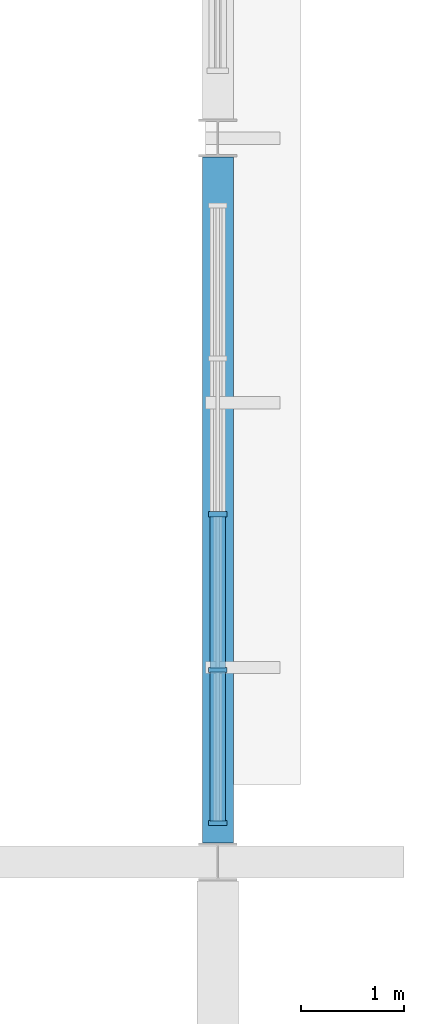
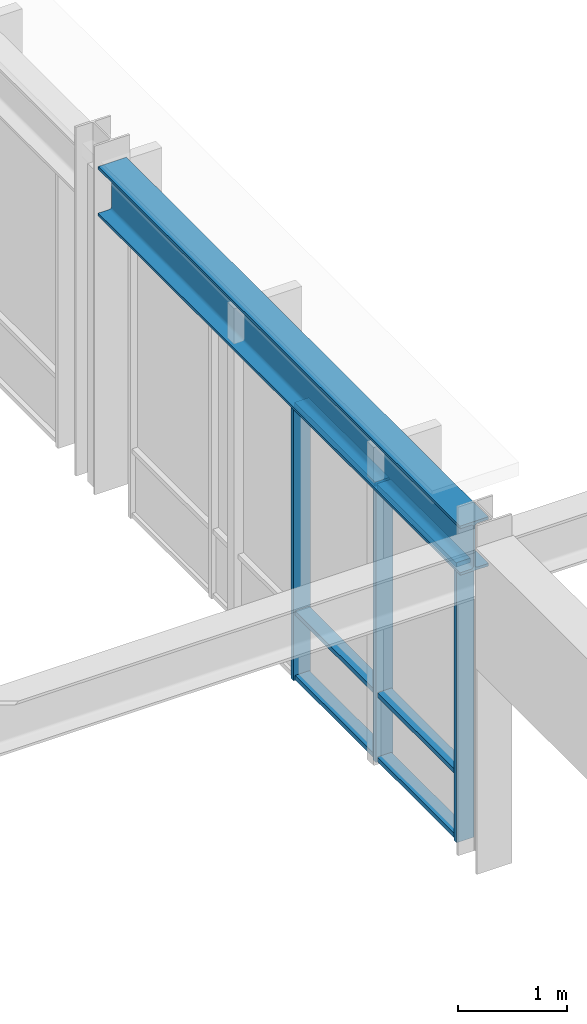
# One storey, part 29 of 98: 9 members, 1 beam, 1 element without a shape of its own.
"""IFC4 building model written with IfcOpenShell, lengths in metres."""

from ifc_helpers import new_model, si_unit, direction, frame, origin, origin_2d, place, context, subcontext, project, spatial, rectangle, i_section, extrude, material, material_profile, profile_set, type_object, element, aggregate, save


model = new_model("IFC4")

# Units and contexts
model_context = context("Model", 3, precision=1e-05, world=origin(), true_north=direction((0.0, 1.0)))
body_context = subcontext(model_context, "Body", "Model", "MODEL_VIEW")
ifc_project = project(units=[si_unit("LENGTHUNIT", "METRE"), si_unit("AREAUNIT", "SQUARE_METRE"), si_unit("VOLUMEUNIT", "CUBIC_METRE"), si_unit("PLANEANGLEUNIT", "RADIAN"), si_unit("MASSUNIT", "GRAM", prefix="KILO")], contexts=[model_context])

# Site, building, storey
site_placement = place(None, origin())
site = spatial("IfcSite", under=ifc_project, at=site_placement, CompositionType="ELEMENT")
building_placement = place(site_placement, origin())
building = spatial("IfcBuilding", under=site, at=building_placement, Name="Larkveld Mobility Hub", CompositionType="ELEMENT")
storey_placement = place(building_placement, frame((0.0, 0.0, 4.5)))
storey = spatial("IfcBuildingStorey", under=building, at=storey_placement, Name="L01", CompositionType="ELEMENT", Elevation=4.5)

# Beam
ifc_material_1 = material(Name="Steel S355JR", Category="steel")
ifc_material_profile_1 = material_profile(ifc_material_1, i_section(OverallWidth=0.300048828125, OverallDepth=0.550048828125, WebThickness=0.014892578125, FlangeThickness=0.029052734375, FilletRadius=0.027099609375, at=origin_2d()), Name="HEB 550")
ifc_profile_set_1 = profile_set([ifc_material_profile_1], Name="Steel S355JR")
beam_type = type_object("IfcBeamType", Name="BM-STHEB550", PredefinedType="BEAM", material=ifc_profile_set_1)
beam_placement = place(storey_placement, frame((184.0, 28.18408203125, 3.385009765625), z_axis=(0.0, 1.0, 0.0), x_axis=(-1.0, 0.0, 0.0)))
element("IfcBeam", 1, at=beam_placement, inside=storey, type_object=beam_type, Name="Primary N-S Girder L01-0470", PredefinedType="BEAM", context=body_context, shape_type="SweptSolid", body=[
    extrude(i_section(OverallWidth=0.300048828125, OverallDepth=0.550048828125, WebThickness=0.014892578125, FlangeThickness=0.029052734375, FilletRadius=0.027099609375, at=origin_2d()), origin(), (0.0, 0.0, 1.0), 6.6318359375),
])

# Curtain wall, members
ifc_material_2 = material(Name="Anodised aluminium 6063-T6", Category="aluminium")
curtain_wall_type = type_object("IfcCurtainWallType", Name="CW-SYS-02", PredefinedType="NOTDEFINED", material=ifc_material_2)
curtain_wall_placement = place(storey_placement, origin())
curtain_wall = element("IfcCurtainWall", 2, at=curtain_wall_placement, inside=storey, type_object=curtain_wall_type, Name="Bus Hall Upper East Glazing B1 CW-050", PredefinedType="NOTDEFINED")
ifc_material_profile_2 = material_profile(ifc_material_2, rectangle(XDim=0.050048828125, YDim=0.179931640625, at=origin_2d()), Name="ALU MULL 50x180")
ifc_profile_set_2 = profile_set([ifc_material_profile_2], Name="Anodised aluminium 6063-T6")
member_type_1 = type_object("IfcMemberType", Name="CW-MUL-02", PredefinedType="MULLION", material=ifc_profile_set_2)
member_1_placement = place(storey_placement, frame((184.0, 28.375, -0.001953125), z_axis=(0.0, 0.0, 1.0), x_axis=(0.0, 1.0, 0.0)))
member_1 = element("IfcMember", 3, at=member_1_placement, type_object=member_type_1, Name="CW02 mullion 1", PredefinedType="MULLION", context=body_context, shape_type="SweptSolid", body=[
    extrude(rectangle(XDim=0.050048828125, YDim=0.179931640625, at=origin_2d()), origin(), (0.0, 0.0, 1.0), 3.112060546875),
])
member_2_placement = place(storey_placement, frame((184.0, 29.85595703125, -0.001953125), z_axis=(0.0, 0.0, 1.0), x_axis=(0.0, 1.0, 0.0)))
member_2 = element("IfcMember", 4, at=member_2_placement, type_object=member_type_1, Name="CW02 mullion 2", PredefinedType="MULLION", context=body_context, shape_type="SweptSolid", body=[
    extrude(rectangle(XDim=0.050048828125, YDim=0.179931640625, at=origin_2d()), origin(), (0.0, 0.0, 1.0), 3.112060546875),
])
member_3_placement = place(storey_placement, frame((184.0, 31.362060546875, -0.001953125), z_axis=(0.0, 0.0, 1.0), x_axis=(0.0, 1.0, 0.0)))
member_3 = element("IfcMember", 5, at=member_3_placement, type_object=member_type_1, Name="CW02 mullion 3", PredefinedType="MULLION", context=body_context, shape_type="SweptSolid", body=[
    extrude(rectangle(XDim=0.050048828125, YDim=0.179931640625, at=origin_2d()), origin(), (0.0, 0.0, 1.0), 3.112060546875),
])
ifc_material_profile_3 = material_profile(ifc_material_2, rectangle(XDim=0.14990234375, YDim=0.050048828125, at=origin_2d()), Name="ALU TRAN 50x150")
ifc_profile_set_3 = profile_set([ifc_material_profile_3], Name="Anodised aluminium 6063-T6")
member_type_2 = type_object("IfcMemberType", Name="CW-TRN-02", PredefinedType="USERDEFINED", material=ifc_profile_set_3)
member_4_placement = place(storey_placement, frame((184.0, 28.385009765625, 0.030029296875), z_axis=(0.0, 1.0, 0.0), x_axis=(-1.0, 0.0, 0.0)))
member_4 = element("IfcMember", 6, at=member_4_placement, type_object=member_type_2, Name="CW02 transom 1.1", ObjectType="TRANSOM", PredefinedType="USERDEFINED", context=body_context, shape_type="SweptSolid", body=[
    extrude(rectangle(XDim=0.14990234375, YDim=0.050048828125, at=origin_2d()), origin(), (0.0, 0.0, 1.0), 1.4560546875),
])
member_5_placement = place(storey_placement, frame((184.0, 28.385009765625, 0.75), z_axis=(0.0, 1.0, 0.0), x_axis=(-1.0, 0.0, 0.0)))
member_5 = element("IfcMember", 7, at=member_5_placement, type_object=member_type_2, Name="CW02 transom 1.2", ObjectType="TRANSOM", PredefinedType="USERDEFINED", context=body_context, shape_type="SweptSolid", body=[
    extrude(rectangle(XDim=0.14990234375, YDim=0.050048828125, at=origin_2d()), origin(), (0.0, 0.0, 1.0), 1.4560546875),
])
member_6_placement = place(storey_placement, frame((184.0, 28.385009765625, 3.077880859375), z_axis=(0.0, 1.0, 0.0), x_axis=(-1.0, 0.0, 0.0)))
member_6 = element("IfcMember", 8, at=member_6_placement, type_object=member_type_2, Name="CW02 transom 1.3", ObjectType="TRANSOM", PredefinedType="USERDEFINED", context=body_context, shape_type="SweptSolid", body=[
    extrude(rectangle(XDim=0.14990234375, YDim=0.050048828125, at=origin_2d()), origin(), (0.0, 0.0, 1.0), 1.4560546875),
])
member_7_placement = place(storey_placement, frame((184.0, 29.87109375, 0.030029296875), z_axis=(0.0, 1.0, 0.0), x_axis=(-1.0, 0.0, 0.0)))
member_7 = element("IfcMember", 9, at=member_7_placement, type_object=member_type_2, Name="CW02 transom 2.1", ObjectType="TRANSOM", PredefinedType="USERDEFINED", context=body_context, shape_type="SweptSolid", body=[
    extrude(rectangle(XDim=0.14990234375, YDim=0.050048828125, at=origin_2d()), origin(), (0.0, 0.0, 1.0), 1.475830078125),
])
member_8_placement = place(storey_placement, frame((184.0, 29.87109375, 0.75), z_axis=(0.0, 1.0, 0.0), x_axis=(-1.0, 0.0, 0.0)))
member_8 = element("IfcMember", 10, at=member_8_placement, type_object=member_type_2, Name="CW02 transom 2.2", ObjectType="TRANSOM", PredefinedType="USERDEFINED", context=body_context, shape_type="SweptSolid", body=[
    extrude(rectangle(XDim=0.14990234375, YDim=0.050048828125, at=origin_2d()), origin(), (0.0, 0.0, 1.0), 1.475830078125),
])
member_9_placement = place(storey_placement, frame((184.0, 29.87109375, 3.077880859375), z_axis=(0.0, 1.0, 0.0), x_axis=(-1.0, 0.0, 0.0)))
member_9 = element("IfcMember", 11, at=member_9_placement, type_object=member_type_2, Name="CW02 transom 2.3", ObjectType="TRANSOM", PredefinedType="USERDEFINED", context=body_context, shape_type="SweptSolid", body=[
    extrude(rectangle(XDim=0.14990234375, YDim=0.050048828125, at=origin_2d()), origin(), (0.0, 0.0, 1.0), 1.475830078125),
])
aggregate(curtain_wall, [member_1, member_2, member_3, member_4, member_5, member_6, member_7, member_8, member_9])

save(model, "model.ifc")
